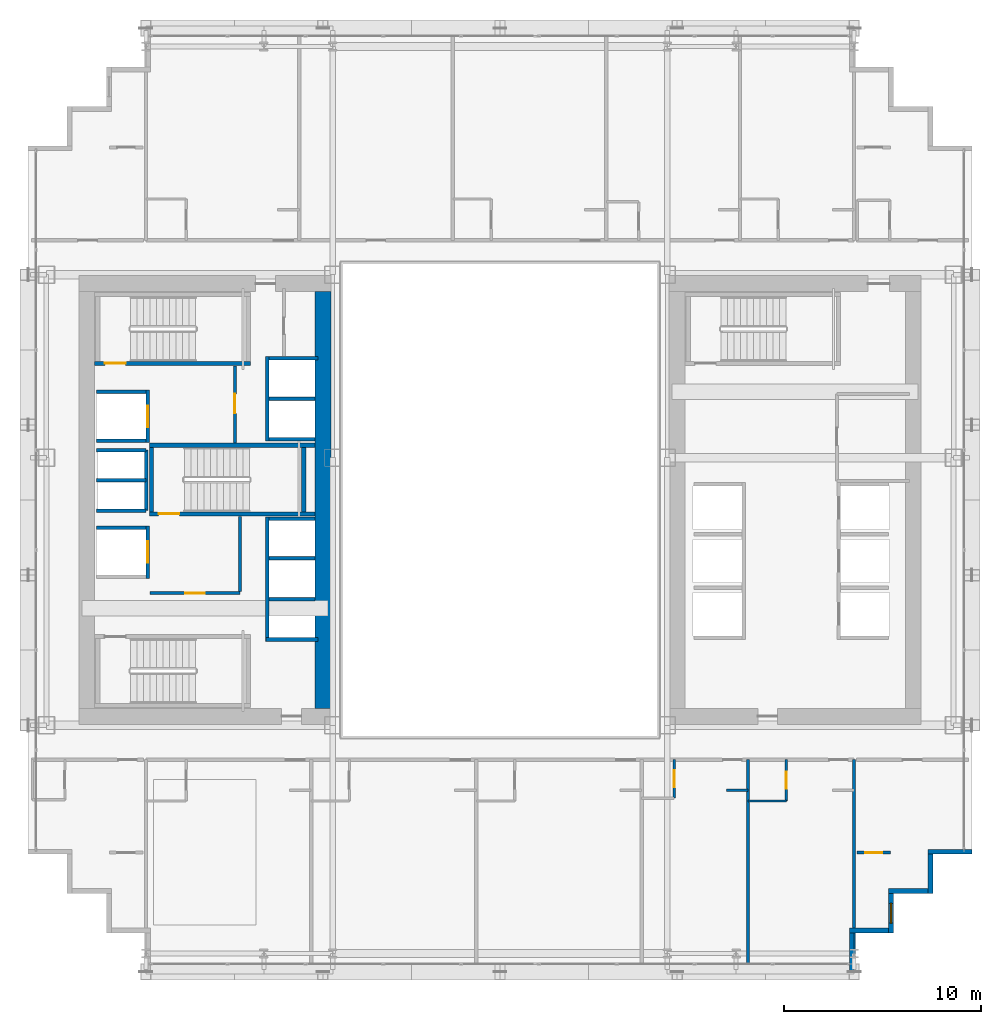
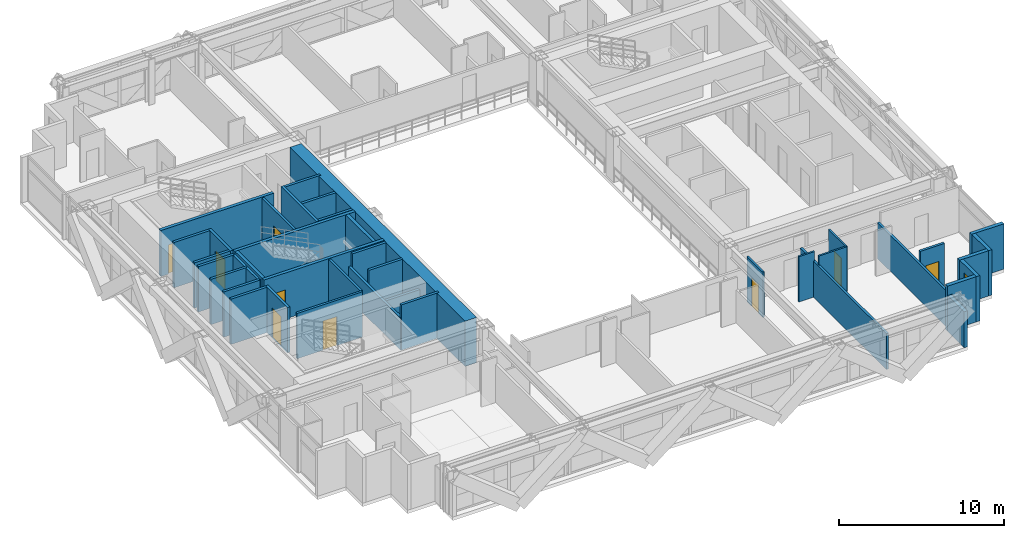
# One storey, part 31 of 38: 40 walls, 9 doors, 1 window, 10 openings.
"""IFC4 building model written with IfcOpenShell, lengths in metres."""

from ifc_helpers import new_model, si_unit, direction, frame, frame_2d, origin, place, context, subcontext, project, spatial, rectangle, extrude, source, transform, mapped, material, layer, layer_set, type_object, element, fill, save


model = new_model("IFC4")

# Units and contexts
model_context = context("Model", 3, precision=1e-05, world=origin(), true_north=direction((0.0, 1.0)))
body_context = subcontext(model_context, "Body", "Model", "MODEL_VIEW")
ifc_project = project(units=[si_unit("LENGTHUNIT", "METRE"), si_unit("AREAUNIT", "SQUARE_METRE"), si_unit("VOLUMEUNIT", "CUBIC_METRE"), si_unit("PLANEANGLEUNIT", "RADIAN"), si_unit("MASSUNIT", "GRAM", prefix="KILO")], contexts=[model_context])

# Site, building, storey
site_placement = place(None, origin())
site = spatial("IfcSite", under=ifc_project, at=site_placement, CompositionType="ELEMENT")
building_placement = place(site_placement, origin())
building = spatial("IfcBuilding", under=site, at=building_placement, Name="Ocotamira Hotel", CompositionType="ELEMENT")
storey_placement = place(building_placement, frame((0.0, 0.0, 60.0)))
storey = spatial("IfcBuildingStorey", under=building, at=storey_placement, Name="L14", CompositionType="ELEMENT", Elevation=60.0)

# Walls
ifc_material_1 = material(Name="Concrete C60/75", Category="concrete")
ifc_layer_1 = layer(ifc_material_1, 0.800048828125)
ifc_layer_set_1 = layer_set([ifc_layer_1], Name="Concrete C60/75")
wall_type_1 = type_object("IfcWallType", Name="WL-CORE-800", PredefinedType="SHEAR", material=ifc_layer_set_1)
wall_1_placement = place(storey_placement, frame((23.0, 15.39990234375, 0.0), z_axis=(0.0, 0.0, 1.0), x_axis=(0.0, 1.0, 0.0)))
element("IfcWall", 1, at=wall_1_placement, inside=storey, type_object=wall_type_1, Name="L14 Shear Core Wall WCORE-E", PredefinedType="SHEAR", context=body_context, shape_type="SweptSolid", body=[
    extrude(rectangle(XDim=21.2001953125, YDim=0.800048828125, at=frame_2d((10.60009765625, 0.0))), origin(), (0.0, 0.0, 1.0), 3.35009765625),
])
ifc_material_2 = material(Name="Precast concrete C45/55", Category="concrete")
ifc_layer_2 = layer(ifc_material_2, 0.25)
ifc_layer_set_2 = layer_set([ifc_layer_2], Name="Precast concrete C45/55")
wall_type_2 = type_object("IfcWallType", Name="WL-EXT-SER-250", PredefinedType="SOLIDWALL", material=ifc_layer_set_2)
wall_2_placement = place(storey_placement, frame((49.875, 2.0, 0.0), z_axis=(0.0, 0.0, 1.0), x_axis=(0.0, 1.0, 0.0)))
element("IfcWall", 2, at=wall_2_placement, inside=storey, type_object=wall_type_2, Name="L14 Serrated Corner Wall 01", PredefinedType="SOLIDWALL", context=body_context, shape_type="SweptSolid", body=[
    extrude(rectangle(XDim=2.0, YDim=0.25, at=frame_2d((1.0, 0.0))), origin(), (0.0, 0.0, 1.0), 2.656982421875),
])
wall_3_placement = place(storey_placement, frame((49.75, 4.125, 0.0), z_axis=(0.0, 0.0, 1.0), x_axis=(1.0, 0.0, 0.0)))
element("IfcWall", 3, at=wall_3_placement, inside=storey, type_object=wall_type_2, Name="L14 Serrated Corner Wall 02", PredefinedType="SOLIDWALL", context=body_context, shape_type="SweptSolid", body=[
    extrude(rectangle(XDim=2.0, YDim=0.25, at=frame_2d((1.0, 0.0))), origin(), (0.0, 0.0, 1.0), 3.35009765625),
])

# Wall, opening, window
wall_4_placement = place(storey_placement, frame((51.875, 4.0, 0.0), z_axis=(0.0, 0.0, 1.0), x_axis=(0.0, 1.0, 0.0)))
wall_4 = element("IfcWall", 4, at=wall_4_placement, inside=storey, type_object=wall_type_2, Name="L14 Serrated Corner Wall 03", PredefinedType="SOLIDWALL", context=body_context, shape_type="SweptSolid", body=[
    extrude(rectangle(XDim=2.0, YDim=0.25, at=frame_2d((1.0, 0.0))), origin(), (0.0, 0.0, 1.0), 3.35009765625),
])
opening_1_placement = place(wall_4_placement, frame((0.5, 0.0, 0.85009765625)))
opening_1 = element("IfcOpeningElement", 5, at=opening_1_placement, cuts=wall_4, Name="Opening WN-2", PredefinedType="OPENING", context=body_context, shape_type="SweptSolid", body=[
    extrude(rectangle(XDim=1.0, YDim=1.89990234375, at=frame_2d((0.5, 0.949951171875))), frame((0.0, 0.135009765625, 0.0), z_axis=(0.0, -1.0, 0.0), x_axis=(1.0, 0.0, 0.0)), (0.0, 0.0, 1.0), 0.27001953125),
])
ifc_material_3 = material(Name="Double-silver low-E solar glass", Category="glass")
window_type = type_object("IfcWindowType", Name="WIN-SER-1100", PartitioningType="SINGLE_PANEL", PredefinedType="WINDOW", material=ifc_material_3)
shared_shape_1 = source(origin(), body_context, "Body", "SweptSolid", [
    extrude(rectangle(XDim=1.0, YDim=1.89990234375, at=frame_2d((0.5, 0.949951171875))), frame((0.0, 0.030029296875, 0.0), z_axis=(0.0, -1.0, 0.0), x_axis=(1.0, 0.0, 0.0)), (0.0, 0.0, 1.0), 0.06005859375),
])
window_placement = place(opening_1_placement, origin())
window = element("IfcWindow", 6, at=window_placement, inside=storey, type_object=window_type, Name="L14 Serrated Corner Window 03", OverallHeight=1.89990234375, OverallWidth=1.0, PartitioningType="SINGLE_PANEL", PredefinedType="WINDOW", context=body_context, shape_type="MappedRepresentation", body=[
    mapped(shared_shape_1, transform((0.0, 0.0, 0.0), scale=1.0)),
])
fill(opening_1, window)

# Walls
for number, where, z_axis, x_axis, name in (
    (7, (51.75, 6.125, 0.0), (0.0, 0.0, 1.0), (1.0, 0.0, 0.0), "L14 Serrated Corner Wall 04"),
    (8, (53.875, 6.0, 0.0), (0.0, 0.0, 1.0), (0.0, 1.0, 0.0), "L14 Serrated Corner Wall 05"),
):
    element("IfcWall", number, at=place(storey_placement, frame(where, z_axis=z_axis, x_axis=x_axis)), inside=storey, type_object=wall_type_2, Name=name, PredefinedType="SOLIDWALL", context=body_context, shape_type="SweptSolid", body=[
        extrude(rectangle(XDim=2.0, YDim=0.25, at=frame_2d((1.0, 0.0))), origin(), (0.0, 0.0, 1.0), 3.35009765625),
    ])
wall_5_placement = place(storey_placement, frame((53.75, 8.125, 0.0), z_axis=(0.0, 0.0, 1.0), x_axis=(1.0, 0.0, 0.0)))
element("IfcWall", 9, at=wall_5_placement, inside=storey, type_object=wall_type_2, Name="L14 Serrated Corner Wall 06", PredefinedType="SOLIDWALL", context=body_context, shape_type="SweptSolid", body=[
    extrude(rectangle(XDim=2.25, YDim=0.25, at=frame_2d((1.125, 0.0))), origin(), (0.0, 0.0, 1.0), 3.35009765625),
])

# Wall, opening, door
ifc_material_4 = material(Name="Acoustic double-layer fire gypsum board partition", Category="gypsum")
ifc_layer_3 = layer(ifc_material_4, 0.159912109375)
ifc_layer_set_3 = layer_set([ifc_layer_3], Name="Acoustic double-layer fire gypsum board partition")
wall_type_3 = type_object("IfcWallType", Name="WL-FIRE-160", PredefinedType="PARTITIONING", material=ifc_layer_set_3)
wall_6_placement = place(storey_placement, frame((14.199951171875, 21.27001953125, 0.0), z_axis=(0.0, 0.0, 1.0), x_axis=(1.0, 0.0, 0.0)))
wall_6 = element("IfcWall", 10, at=wall_6_placement, inside=storey, type_object=wall_type_3, Name="L14 Interior Wall PW-L14-FSAE1-S", PredefinedType="PARTITIONING", context=body_context, shape_type="SweptSolid", body=[
    extrude(rectangle(XDim=4.580078125, YDim=0.159912109375, at=frame_2d((2.2900390625, 0.0))), origin(), (0.0, 0.0, 1.0), 3.35009765625),
])
opening_2_placement = place(wall_6_placement, frame((1.800048828125, 0.0, 0.0)))
opening_2 = element("IfcOpeningElement", 11, at=opening_2_placement, cuts=wall_6, Name="Opening D-FR2", PredefinedType="OPENING", context=body_context, shape_type="SweptSolid", body=[
    extrude(rectangle(XDim=1.0, YDim=2.14990234375, at=frame_2d((0.5, 1.074951171875))), frame((0.0, 0.08984375, 0.0), z_axis=(0.0, -1.0, 0.0), x_axis=(1.0, 0.0, 0.0)), (0.0, 0.0, 1.0), 0.179931640625),
])
ifc_material_5 = material(Name="Fire-rated acoustic timber-veneer door", Category="wood")
door_type_1 = type_object("IfcDoorType", Name="DR-FIRE-1000", OperationType="NOTDEFINED", PredefinedType="DOOR", material=ifc_material_5)
shared_shape_2 = source(origin(), body_context, "Body", "SweptSolid", [
    extrude(rectangle(XDim=1.0, YDim=2.14990234375, at=frame_2d((0.5, 1.074951171875))), frame((0.0, 0.02490234375, 0.0), z_axis=(0.0, -1.0, 0.0), x_axis=(1.0, 0.0, 0.0)), (0.0, 0.0, 1.0), 0.050048828125),
])
door_1_placement = place(opening_2_placement, origin())
door_1 = element("IfcDoor", 12, at=door_1_placement, inside=storey, type_object=door_type_1, Name="L14 Door ID-L14-FSAE1-D [ID-L14-FSAE1-D]", OperationType="SINGLE_SWING_LEFT", OverallHeight=2.14990234375, OverallWidth=1.0, PredefinedType="DOOR", context=body_context, shape_type="MappedRepresentation", body=[
    mapped(shared_shape_2, transform((0.0, 0.0, 0.0), scale=1.0)),
])
fill(opening_2, door_1)

# Wall
wall_7_placement = place(storey_placement, frame((18.780029296875, 21.35009765625, 0.0), z_axis=(0.0, 0.0, 1.0), x_axis=(0.0, 1.0, 0.0)))
element("IfcWall", 13, at=wall_7_placement, inside=storey, type_object=wall_type_3, Name="L14 Interior Wall PW-L14-FSAE1-E", PredefinedType="PARTITIONING", context=body_context, shape_type="SweptSolid", body=[
    extrude(rectangle(XDim=3.809814453125, YDim=0.159912109375, at=frame_2d((1.90478515625, 0.0))), origin(), (0.0, 0.0, 1.0), 3.35009765625),
])

# Wall, opening, door
wall_8_placement = place(storey_placement, frame((18.530029296875, 28.89990234375, 0.0), z_axis=(0.0, 0.0, 1.0), x_axis=(0.0, 1.0, 0.0)))
wall_8 = element("IfcWall", 14, at=wall_8_placement, inside=storey, type_object=wall_type_3, Name="L14 Interior Wall PW-L14-FSAE2-E", PredefinedType="PARTITIONING", context=body_context, shape_type="SweptSolid", body=[
    extrude(rectangle(XDim=3.900146484375, YDim=0.159912109375, at=frame_2d((1.9501953125, 0.0))), origin(), (0.0, 0.0, 1.0), 3.35009765625),
])
opening_3_placement = place(wall_8_placement, frame((1.5, 0.0, 0.0)))
opening_3 = element("IfcOpeningElement", 15, at=opening_3_placement, cuts=wall_8, Name="Opening D-FR2", PredefinedType="OPENING", context=body_context, shape_type="SweptSolid", body=[
    extrude(rectangle(XDim=1.0, YDim=2.14990234375, at=frame_2d((0.5, 1.074951171875))), frame((0.0, 0.08984375, 0.0), z_axis=(0.0, -1.0, 0.0), x_axis=(1.0, 0.0, 0.0)), (0.0, 0.0, 1.0), 0.179931640625),
])
door_2_placement = place(opening_3_placement, origin())
door_2 = element("IfcDoor", 16, at=door_2_placement, inside=storey, type_object=door_type_1, Name="L14 Door ID-L14-FSAE2-D [ID-L14-FSAE2-D]", OperationType="SINGLE_SWING_RIGHT", OverallHeight=2.14990234375, OverallWidth=1.0, PredefinedType="DOOR", context=body_context, shape_type="MappedRepresentation", body=[
    mapped(shared_shape_2, transform((0.0, 0.0, 0.0), scale=1.0)),
])
fill(opening_3, door_2)

wall_9_placement = place(storey_placement, frame((50.14990234375, 8.080078125, 0.0), z_axis=(0.0, 0.0, 1.0), x_axis=(1.0, 0.0, 0.0)))
wall_9 = element("IfcWall", 17, at=wall_9_placement, inside=storey, type_object=wall_type_3, Name="L14 Interior Wall PW-L14-Z1C-CSE2-CW", PredefinedType="PARTITIONING", context=body_context, shape_type="SweptSolid", body=[
    extrude(rectangle(XDim=1.7001953125, YDim=0.159912109375, at=frame_2d((0.85009765625, 0.0))), origin(), (0.0, 0.0, 1.0), 3.35009765625),
])
opening_4_placement = place(wall_9_placement, frame((0.409912109375, 0.0, 0.0)))
opening_4 = element("IfcOpeningElement", 18, at=opening_4_placement, cuts=wall_9, Name="Opening D-SV2", PredefinedType="OPENING", context=body_context, shape_type="SweptSolid", body=[
    extrude(rectangle(XDim=0.8798828125, YDim=2.14990234375, at=frame_2d((0.43994140625, 1.074951171875))), frame((0.0, 0.08984375, 0.0), z_axis=(0.0, -1.0, 0.0), x_axis=(1.0, 0.0, 0.0)), (0.0, 0.0, 1.0), 0.179931640625),
])
ifc_material_6 = material(Name="Fire-rated painted steel service door", Category="steel")
door_type_2 = type_object("IfcDoorType", Name="DR-SERV-880", OperationType="NOTDEFINED", PredefinedType="DOOR", material=ifc_material_6)
shared_shape_3 = source(origin(), body_context, "Body", "SweptSolid", [
    extrude(rectangle(XDim=0.8798828125, YDim=2.14990234375, at=frame_2d((0.43994140625, 1.074951171875))), frame((0.0, 0.02490234375, 0.0), z_axis=(0.0, -1.0, 0.0), x_axis=(1.0, 0.0, 0.0)), (0.0, 0.0, 1.0), 0.050048828125),
])
door_3_placement = place(opening_4_placement, origin())
door_3 = element("IfcDoor", 19, at=door_3_placement, inside=storey, type_object=door_type_2, Name="L14 Door ID-L14-Z1C-CSE2-CD [ID-L14-Z1C-CSE2-CD]", OperationType="SINGLE_SWING_LEFT", OverallHeight=2.14990234375, OverallWidth=0.8798828125, PredefinedType="DOOR", context=body_context, shape_type="MappedRepresentation", body=[
    mapped(shared_shape_3, transform((0.0, 0.0, 0.0), scale=1.0)),
])
fill(opening_4, door_3)

ifc_material_7 = material(Name="Moisture-resistant en-suite tile and gypsum partition", Category="gypsum")
ifc_layer_4 = layer(ifc_material_7, 0.1201171875)
ifc_layer_set_4 = layer_set([ifc_layer_4], Name="Moisture-resistant en-suite tile and gypsum partition")
wall_type_4 = type_object("IfcWallType", Name="WL-PART-120", PredefinedType="PARTITIONING", material=ifc_layer_set_4)
wall_10_placement = place(storey_placement, frame((40.85009765625, 10.85009765625, 0.0), z_axis=(0.0, 0.0, 1.0), x_axis=(0.0, 1.0, 0.0)))
wall_10 = element("IfcWall", 20, at=wall_10_placement, inside=storey, type_object=wall_type_4, Name="L14 Interior Wall PW-L14-Z1CS-BAE4", PredefinedType="PARTITIONING", context=body_context, shape_type="SweptSolid", body=[
    extrude(rectangle(XDim=1.949951171875, YDim=0.1201171875, at=frame_2d((0.97509765625, 0.0))), origin(), (0.0, 0.0, 1.0), 3.35009765625),
])
opening_5_placement = place(wall_10_placement, frame((0.544921875, 0.0, 0.0)))
opening_5 = element("IfcOpeningElement", 21, at=opening_5_placement, cuts=wall_10, Name="Opening D-BA1", PredefinedType="OPENING", context=body_context, shape_type="SweptSolid", body=[
    extrude(rectangle(XDim=0.860107421875, YDim=2.10009765625, at=frame_2d((0.43017578125, 1.050048828125))), frame((0.0, 0.070068359375, 0.0), z_axis=(0.0, -1.0, 0.0), x_axis=(1.0, 0.0, 0.0)), (0.0, 0.0, 1.0), 0.14013671875),
])
ifc_material_8 = material(Name="Moisture-sealed en-suite timber door", Category="wood")
door_type_3 = type_object("IfcDoorType", Name="DR-BATH-860", OperationType="NOTDEFINED", PredefinedType="DOOR", material=ifc_material_8)
shared_shape_4 = source(origin(), body_context, "Body", "SweptSolid", [
    extrude(rectangle(XDim=0.860107421875, YDim=2.10009765625, at=frame_2d((0.43017578125, 1.050048828125))), frame((0.0, 0.02490234375, 0.0), z_axis=(0.0, -1.0, 0.0), x_axis=(1.0, 0.0, 0.0)), (0.0, 0.0, 1.0), 0.050048828125),
])
door_4_placement = place(opening_5_placement, origin())
door_4 = element("IfcDoor", 22, at=door_4_placement, inside=storey, type_object=door_type_3, Name="L14 Door ID-L14-Z1CS-BAD4 [ID-L14-Z1CS-BAD4]", OperationType="SINGLE_SWING_LEFT", OverallHeight=2.10009765625, OverallWidth=0.860107421875, PredefinedType="DOOR", context=body_context, shape_type="MappedRepresentation", body=[
    mapped(shared_shape_4, transform((0.0, 0.0, 0.0), scale=1.0)),
])
fill(opening_5, door_4)

# Wall
wall_11_placement = place(storey_placement, frame((43.5, 11.25, 0.0), z_axis=(0.0, 0.0, 1.0), x_axis=(1.0, 0.0, 0.0)))
element("IfcWall", 23, at=wall_11_placement, inside=storey, type_object=wall_type_4, Name="L14 Interior Wall PW-L14-Z1CS-DRN4", PredefinedType="PARTITIONING", context=body_context, shape_type="SweptSolid", body=[
    extrude(rectangle(XDim=1.10009765625, YDim=0.1201171875, at=frame_2d((0.550048828125, 0.0))), origin(), (0.0, 0.0, 1.0), 3.35009765625),
])

# Wall, opening, door
wall_12_placement = place(storey_placement, frame((46.550048828125, 10.699951171875, 0.0), z_axis=(0.0, 0.0, 1.0), x_axis=(0.0, 1.0, 0.0)))
wall_12 = element("IfcWall", 24, at=wall_12_placement, inside=storey, type_object=wall_type_4, Name="L14 Interior Wall PW-L14-Z1CS-BAE5", PredefinedType="PARTITIONING", context=body_context, shape_type="SweptSolid", body=[
    extrude(rectangle(XDim=2.10009765625, YDim=0.1201171875, at=frame_2d((1.050048828125, 0.0))), origin(), (0.0, 0.0, 1.0), 3.35009765625),
])
opening_6_placement = place(wall_12_placement, frame((0.6201171875, 0.0, 0.0)))
opening_6 = element("IfcOpeningElement", 25, at=opening_6_placement, cuts=wall_12, Name="Opening D-BA1", PredefinedType="OPENING", context=body_context, shape_type="SweptSolid", body=[
    extrude(rectangle(XDim=0.860107421875, YDim=2.10009765625, at=frame_2d((0.43017578125, 1.050048828125))), frame((0.0, 0.070068359375, 0.0), z_axis=(0.0, -1.0, 0.0), x_axis=(1.0, 0.0, 0.0)), (0.0, 0.0, 1.0), 0.14013671875),
])
door_5_placement = place(opening_6_placement, origin())
door_5 = element("IfcDoor", 26, at=door_5_placement, inside=storey, type_object=door_type_3, Name="L14 Door ID-L14-Z1CS-BAD5 [ID-L14-Z1CS-BAD5]", OperationType="SINGLE_SWING_RIGHT", OverallHeight=2.10009765625, OverallWidth=0.860107421875, PredefinedType="DOOR", context=body_context, shape_type="MappedRepresentation", body=[
    mapped(shared_shape_4, transform((0.0, 0.0, 0.0), scale=1.0)),
])
fill(opening_6, door_5)

# Walls
wall_13_placement = place(storey_placement, frame((44.60009765625, 10.699951171875, 0.0), z_axis=(0.0, 0.0, 1.0), x_axis=(1.0, 0.0, 0.0)))
element("IfcWall", 27, at=wall_13_placement, inside=storey, type_object=wall_type_4, Name="L14 Interior Wall PW-L14-Z1CS-BAS5", PredefinedType="PARTITIONING", context=body_context, shape_type="SweptSolid", body=[
    extrude(rectangle(XDim=1.949951171875, YDim=0.1201171875, at=frame_2d((0.97509765625, 0.0))), origin(), (0.0, 0.0, 1.0), 3.35009765625),
])
ifc_material_9 = material(Name="Acoustic double-stud hospitality gypsum partition", Category="gypsum")
ifc_layer_5 = layer(ifc_material_9, 0.159912109375)
ifc_layer_set_5 = layer_set([ifc_layer_5], Name="Acoustic double-stud hospitality gypsum partition")
wall_type_5 = type_object("IfcWallType", Name="WL-PART-160", PredefinedType="PARTITIONING", material=ifc_layer_set_5)
for number, where, z_axis, x_axis, name in (
    (28, (50.0, 2.360107421875, 0.0), (0.0, 0.0, 1.0), (0.0, 1.0, 0.0), "L14 Interior Wall PW-L14-Z1CS-PWEND"),
    (29, (44.60009765625, 2.360107421875, 0.0), (0.0, 0.0, 1.0), (0.0, 1.0, 0.0), "L14 Interior Wall PW-L14-Z1CS-PW4"),
):
    element("IfcWall", number, at=place(storey_placement, frame(where, z_axis=z_axis, x_axis=x_axis)), inside=storey, type_object=wall_type_5, Name=name, PredefinedType="PARTITIONING", context=body_context, shape_type="SweptSolid", body=[
        extrude(rectangle(XDim=10.43994140625, YDim=0.159912109375, at=frame_2d((5.219970703125, 0.0))), origin(), (0.0, 0.0, 1.0), 2.656982421875),
    ])
ifc_material_10 = material(Name="Fire-rated gypsum shaftliner board assembly", Category="gypsum")
ifc_layer_6 = layer(ifc_material_10, 0.179931640625)
ifc_layer_set_6 = layer_set([ifc_layer_6], Name="Fire-rated gypsum shaftliner board assembly")
wall_type_6 = type_object("IfcWallType", Name="WL-SHAFT-180", PredefinedType="SOLIDWALL", material=ifc_layer_set_6)
wall_14_placement = place(storey_placement, frame((20.159912109375, 18.820068359375, 0.0), z_axis=(0.0, 0.0, 1.0), x_axis=(0.0, 1.0, 0.0)))
element("IfcWall", 30, at=wall_14_placement, inside=storey, type_object=wall_type_6, Name="L14 Interior Wall PW-L14-LFW-BANK-high-F", PredefinedType="SOLIDWALL", context=body_context, shape_type="SweptSolid", body=[
    extrude(rectangle(XDim=6.31982421875, YDim=0.179931640625, at=frame_2d((3.159912109375, 0.0))), origin(), (0.0, 0.0, 1.0), 2.360107421875),
])
wall_15_placement = place(storey_placement, frame((20.1201171875, 18.909912109375, 0.0), z_axis=(0.0, 0.0, 1.0), x_axis=(1.0, 0.0, 0.0)))
element("IfcWall", 31, at=wall_15_placement, inside=storey, type_object=wall_type_6, Name="L14 Interior Wall PW-L14-LFW-BANK-high-S", PredefinedType="SOLIDWALL", context=body_context, shape_type="SweptSolid", body=[
    extrude(rectangle(XDim=2.6298828125, YDim=0.179931640625, at=frame_2d((1.31494140625, 0.0))), origin(), (0.0, 0.0, 1.0), 3.35009765625),
])
wall_16_placement = place(storey_placement, frame((20.25, 25.050048828125, 0.0), z_axis=(0.0, 0.0, 1.0), x_axis=(1.0, 0.0, 0.0)))
element("IfcWall", 32, at=wall_16_placement, inside=storey, type_object=wall_type_6, Name="L14 Interior Wall PW-L14-LFW-BANK-high-N", PredefinedType="SOLIDWALL", context=body_context, shape_type="SweptSolid", body=[
    extrude(rectangle(XDim=2.360107421875, YDim=0.179931640625, at=frame_2d((1.18017578125, 0.0))), origin(), (0.0, 0.0, 1.0), 3.35009765625),
])
wall_17_placement = place(storey_placement, frame((20.25, 20.965087890625, 0.0), z_axis=(0.0, 0.0, 1.0), x_axis=(1.0, 0.0, 0.0)))
element("IfcWall", 33, at=wall_17_placement, inside=storey, type_object=wall_type_6, Name="L14 Interior Wall PW-L14-LFW-DIV-LF-P7", PredefinedType="SOLIDWALL", context=body_context, shape_type="SweptSolid", body=[
    extrude(rectangle(XDim=2.360107421875, YDim=0.179931640625, at=frame_2d((1.18017578125, 0.0))), origin(), (0.0, 0.0, 1.0), 2.360107421875),
])
wall_18_placement = place(storey_placement, frame((20.25, 23.044921875, 0.0), z_axis=(0.0, 0.0, 1.0), x_axis=(1.0, 0.0, 0.0)))
element("IfcWall", 34, at=wall_18_placement, inside=storey, type_object=wall_type_6, Name="L14 Interior Wall PW-L14-LFW-DIV-LF-P8", PredefinedType="SOLIDWALL", context=body_context, shape_type="SweptSolid", body=[
    extrude(rectangle(XDim=2.360107421875, YDim=0.179931640625, at=frame_2d((1.18017578125, 0.0))), origin(), (0.0, 0.0, 1.0), 3.35009765625),
])
wall_19_placement = place(storey_placement, frame((20.159912109375, 29.0, 0.0), z_axis=(0.0, 0.0, 1.0), x_axis=(0.0, 1.0, 0.0)))
element("IfcWall", 35, at=wall_19_placement, inside=storey, type_object=wall_type_6, Name="L14 Interior Wall PW-L14-LFW-BANK-obs-F", PredefinedType="SOLIDWALL", context=body_context, shape_type="SweptSolid", body=[
    extrude(rectangle(XDim=4.2900390625, YDim=0.179931640625, at=frame_2d((2.14501953125, 0.0))), origin(), (0.0, 0.0, 1.0), 3.35009765625),
])
wall_20_placement = place(storey_placement, frame((20.25, 29.090087890625, 0.0), z_axis=(0.0, 0.0, 1.0), x_axis=(1.0, 0.0, 0.0)))
element("IfcWall", 36, at=wall_20_placement, inside=storey, type_object=wall_type_6, Name="L14 Interior Wall PW-L14-LFW-BANK-obs-S", PredefinedType="SOLIDWALL", context=body_context, shape_type="SweptSolid", body=[
    extrude(rectangle(XDim=2.360107421875, YDim=0.179931640625, at=frame_2d((1.18017578125, 0.0))), origin(), (0.0, 0.0, 1.0), 3.35009765625),
])
wall_21_placement = place(storey_placement, frame((20.25, 33.199951171875, 0.0), z_axis=(0.0, 0.0, 1.0), x_axis=(1.0, 0.0, 0.0)))
element("IfcWall", 37, at=wall_21_placement, inside=storey, type_object=wall_type_6, Name="L14 Interior Wall PW-L14-LFW-BANK-obs-N", PredefinedType="SOLIDWALL", context=body_context, shape_type="SweptSolid", body=[
    extrude(rectangle(XDim=2.5, YDim=0.179931640625, at=frame_2d((1.25, 0.0))), origin(), (0.0, 0.0, 1.0), 3.35009765625),
])
wall_22_placement = place(storey_placement, frame((20.25, 31.14501953125, 0.0), z_axis=(0.0, 0.0, 1.0), x_axis=(1.0, 0.0, 0.0)))
element("IfcWall", 38, at=wall_22_placement, inside=storey, type_object=wall_type_6, Name="L14 Interior Wall PW-L14-LFW-DIV-LF-OBS1", PredefinedType="SOLIDWALL", context=body_context, shape_type="SweptSolid", body=[
    extrude(rectangle(XDim=2.360107421875, YDim=0.179931640625, at=frame_2d((1.18017578125, 0.0))), origin(), (0.0, 0.0, 1.0), 3.35009765625),
])
wall_23_placement = place(storey_placement, frame((11.5, 24.590087890625, 0.0), z_axis=(0.0, 0.0, 1.0), x_axis=(1.0, 0.0, 0.0)))
element("IfcWall", 39, at=wall_23_placement, inside=storey, type_object=wall_type_6, Name="L14 Interior Wall PW-L14-LFW-LF-FSAE1-N", PredefinedType="SOLIDWALL", context=body_context, shape_type="SweptSolid", body=[
    extrude(rectangle(XDim=2.5, YDim=0.179931640625, at=frame_2d((1.25, 0.0))), origin(), (0.0, 0.0, 1.0), 3.35009765625),
])

# Wall, opening, door
wall_24_placement = place(storey_placement, frame((14.090087890625, 22.02001953125, 0.0), z_axis=(0.0, 0.0, 1.0), x_axis=(0.0, 1.0, 0.0)))
wall_24 = element("IfcWall", 40, at=wall_24_placement, inside=storey, type_object=wall_type_6, Name="L14 Interior Wall PW-L14-LFW-LF-FSAE1-E", PredefinedType="SOLIDWALL", context=body_context, shape_type="SweptSolid", body=[
    extrude(rectangle(XDim=2.659912109375, YDim=0.179931640625, at=frame_2d((1.330078125, 0.0))), origin(), (0.0, 0.0, 1.0), 3.35009765625),
])
opening_7_placement = place(wall_24_placement, frame((0.780029296875, 0.0, 0.0)))
opening_7 = element("IfcOpeningElement", 41, at=opening_7_placement, cuts=wall_24, Name="Opening LD-LF-FSAE1", PredefinedType="OPENING", context=body_context, shape_type="SweptSolid", body=[
    extrude(rectangle(XDim=1.10009765625, YDim=2.199951171875, at=frame_2d((0.550048828125, 1.10009765625))), frame((0.0, 0.10009765625, 0.0), z_axis=(0.0, -1.0, 0.0), x_axis=(1.0, 0.0, 0.0)), (0.0, 0.0, 1.0), 0.199951171875),
])
ifc_material_11 = material(Name="Brushed pale-metal stainless elevator landing door", Category="steel")
door_type_4 = type_object("IfcDoorType", Name="DR-LIFT-1100", OperationType="NOTDEFINED", PredefinedType="DOOR", material=ifc_material_11)
shared_shape_5 = source(origin(), body_context, "Body", "SweptSolid", [
    extrude(rectangle(XDim=1.10009765625, YDim=2.199951171875, at=frame_2d((0.550048828125, 1.10009765625))), frame((0.0, 0.02490234375, 0.0), z_axis=(0.0, -1.0, 0.0), x_axis=(1.0, 0.0, 0.0)), (0.0, 0.0, 1.0), 0.050048828125),
])
door_6_placement = place(opening_7_placement, origin())
door_6 = element("IfcDoor", 42, at=door_6_placement, inside=storey, type_object=door_type_4, Name="L14 Landing Door LD-LF-FSAE1 [ID-L14-LD-LF-FSAE1]", OperationType="DOUBLE_DOOR_SLIDING", OverallHeight=2.199951171875, OverallWidth=1.10009765625, PredefinedType="DOOR", context=body_context, shape_type="MappedRepresentation", body=[
    mapped(shared_shape_5, transform((0.0, 0.0, 0.0), scale=1.0)),
])
fill(opening_7, door_6)

# Walls
for number, where, z_axis, x_axis, name in (
    (43, (11.5, 29.010009765625, 0.0), (0.0, 0.0, 1.0), (1.0, 0.0, 0.0), "L14 Interior Wall PW-L14-LFW-LF-FSAE2-S"),
    (44, (11.5, 31.489990234375, 0.0), (0.0, 0.0, 1.0), (1.0, 0.0, 0.0), "L14 Interior Wall PW-L14-LFW-LF-FSAE2-N"),
):
    element("IfcWall", number, at=place(storey_placement, frame(where, z_axis=z_axis, x_axis=x_axis)), inside=storey, type_object=wall_type_6, Name=name, PredefinedType="SOLIDWALL", context=body_context, shape_type="SweptSolid", body=[
        extrude(rectangle(XDim=2.5, YDim=0.179931640625, at=frame_2d((1.25, 0.0))), origin(), (0.0, 0.0, 1.0), 3.35009765625),
    ])

# Wall, opening, door
wall_25_placement = place(storey_placement, frame((14.090087890625, 28.919921875, 0.0), z_axis=(0.0, 0.0, 1.0), x_axis=(0.0, 1.0, 0.0)))
wall_25 = element("IfcWall", 45, at=wall_25_placement, inside=storey, type_object=wall_type_6, Name="L14 Interior Wall PW-L14-LFW-LF-FSAE2-E", PredefinedType="SOLIDWALL", context=body_context, shape_type="SweptSolid", body=[
    extrude(rectangle(XDim=2.66015625, YDim=0.179931640625, at=frame_2d((1.330078125, 0.0))), origin(), (0.0, 0.0, 1.0), 3.35009765625),
])
opening_8_placement = place(wall_25_placement, frame((0.780029296875, 0.0, 0.0)))
opening_8 = element("IfcOpeningElement", 46, at=opening_8_placement, cuts=wall_25, Name="Opening LD-LF-FSAE2", PredefinedType="OPENING", context=body_context, shape_type="SweptSolid", body=[
    extrude(rectangle(XDim=1.10009765625, YDim=2.199951171875, at=frame_2d((0.550048828125, 1.10009765625))), frame((0.0, 0.10009765625, 0.0), z_axis=(0.0, -1.0, 0.0), x_axis=(1.0, 0.0, 0.0)), (0.0, 0.0, 1.0), 0.199951171875),
])
door_7_placement = place(opening_8_placement, origin())
door_7 = element("IfcDoor", 47, at=door_7_placement, inside=storey, type_object=door_type_4, Name="L14 Landing Door LD-LF-FSAE2 [ID-L14-LD-LF-FSAE2]", OperationType="DOUBLE_DOOR_SLIDING", OverallHeight=2.199951171875, OverallWidth=1.10009765625, PredefinedType="DOOR", context=body_context, shape_type="MappedRepresentation", body=[
    mapped(shared_shape_5, transform((0.0, 0.0, 0.0), scale=1.0)),
])
fill(opening_8, door_7)

# Walls
for number, where, z_axis, x_axis, name in (
    (48, (11.5, 25.4599609375, 0.0), (0.0, 0.0, 1.0), (1.0, 0.0, 0.0), "L14 Interior Wall PW-L14-RSW-S"),
    (49, (11.5, 27.0, 0.0), (0.0, 0.0, 1.0), (1.0, 0.0, 0.0), "L14 Interior Wall PW-L14-RSW-MID"),
    (50, (11.5, 28.5400390625, 0.0), (0.0, 0.0, 1.0), (1.0, 0.0, 0.0), "L14 Interior Wall PW-L14-RSW-N"),
):
    element("IfcWall", number, at=place(storey_placement, frame(where, z_axis=z_axis, x_axis=x_axis)), inside=storey, type_object=wall_type_6, Name=name, PredefinedType="SOLIDWALL", context=body_context, shape_type="SweptSolid", body=[
        extrude(rectangle(XDim=2.510009765625, YDim=0.179931640625, at=frame_2d((1.2548828125, 0.0))), origin(), (0.0, 0.0, 1.0), 3.35009765625),
    ])
wall_26_placement = place(storey_placement, frame((14.010009765625, 25.4599609375, 0.0), z_axis=(0.0, 0.0, 1.0), x_axis=(0.0, 1.0, 0.0)))
element("IfcWall", 51, at=wall_26_placement, inside=storey, type_object=wall_type_6, Name="L14 Interior Wall PW-L14-RSW-E", PredefinedType="SOLIDWALL", context=body_context, shape_type="SweptSolid", body=[
    extrude(rectangle(XDim=3.080078125, YDim=0.179931640625, at=frame_2d((1.5400390625, 0.0))), origin(), (0.0, 0.0, 1.0), 3.35009765625),
])

# Wall, opening, door
ifc_material_12 = material(Name="Concrete C50/60", Category="concrete")
ifc_layer_7 = layer(ifc_material_12, 0.219970703125)
ifc_layer_set_7 = layer_set([ifc_layer_7], Name="Concrete C50/60")
wall_type_7 = type_object("IfcWallType", Name="WL-STAIR-220", PredefinedType="SHEAR", material=ifc_layer_set_7)
wall_27_placement = place(storey_placement, frame((11.39990234375, 32.93994140625, 0.0), z_axis=(0.0, 0.0, 1.0), x_axis=(1.0, 0.0, 0.0)))
wall_27 = element("IfcWall", 52, at=wall_27_placement, inside=storey, type_object=wall_type_7, Name="L14 Stair Shaft Structural Wall ST-2-S", PredefinedType="SHEAR", context=body_context, shape_type="SweptSolid", body=[
    extrude(rectangle(XDim=7.91015625, YDim=0.219970703125, at=frame_2d((3.955078125, 0.0))), origin(), (0.0, 0.0, 1.0), 3.39990234375),
])
opening_9_placement = place(wall_27_placement, frame((0.52001953125, 0.0, 0.0)))
opening_9 = element("IfcOpeningElement", 53, at=opening_9_placement, cuts=wall_27, Name="Opening D-ST2", PredefinedType="OPENING", context=body_context, shape_type="SweptSolid", body=[
    extrude(rectangle(XDim=1.050048828125, YDim=2.14990234375, at=frame_2d((0.52490234375, 1.074951171875))), frame((0.0, 0.1201171875, 0.0), z_axis=(0.0, -1.0, 0.0), x_axis=(1.0, 0.0, 0.0)), (0.0, 0.0, 1.0), 0.239990234375),
])
ifc_material_13 = material(Name="Insulated painted hollow-metal fire exit door", Category="steel")
door_type_5 = type_object("IfcDoorType", Name="DR-STAIR-1050", OperationType="NOTDEFINED", PredefinedType="DOOR", material=ifc_material_13)
shared_shape_6 = source(origin(), body_context, "Body", "SweptSolid", [
    extrude(rectangle(XDim=1.050048828125, YDim=2.14990234375, at=frame_2d((0.52490234375, 1.074951171875))), frame((0.0, 0.02490234375, 0.0), z_axis=(0.0, -1.0, 0.0), x_axis=(1.0, 0.0, 0.0)), (0.0, 0.0, 1.0), 0.050048828125),
])
door_8_placement = place(opening_9_placement, origin())
door_8 = element("IfcDoor", 54, at=door_8_placement, inside=storey, type_object=door_type_5, Name="L14 Door ID-L14-STD-ST-2 [ID-L14-STD-ST-2]", OperationType="SINGLE_SWING_RIGHT", OverallHeight=2.14990234375, OverallWidth=1.050048828125, PredefinedType="DOOR", context=body_context, shape_type="MappedRepresentation", body=[
    mapped(shared_shape_6, transform((0.0, 0.0, 0.0), scale=1.0)),
])
fill(opening_9, door_8)

wall_28_placement = place(storey_placement, frame((14.179931640625, 25.2900390625, 0.0), z_axis=(0.0, 0.0, 1.0), x_axis=(1.0, 0.0, 0.0)))
wall_28 = element("IfcWall", 55, at=wall_28_placement, inside=storey, type_object=wall_type_7, Name="L14 Stair Shaft Structural Wall ST-3-S", PredefinedType="SHEAR", context=body_context, shape_type="SweptSolid", body=[
    extrude(rectangle(XDim=8.420166015625, YDim=0.219970703125, at=frame_2d((4.2099609375, 0.0))), origin(), (0.0, 0.0, 1.0), 3.39990234375),
])
opening_10_placement = place(wall_28_placement, frame((0.469970703125, 0.0, 0.0)))
opening_10 = element("IfcOpeningElement", 56, at=opening_10_placement, cuts=wall_28, Name="Opening D-ST2", PredefinedType="OPENING", context=body_context, shape_type="SweptSolid", body=[
    extrude(rectangle(XDim=1.050048828125, YDim=2.14990234375, at=frame_2d((0.52490234375, 1.074951171875))), frame((0.0, 0.1201171875, 0.0), z_axis=(0.0, -1.0, 0.0), x_axis=(1.0, 0.0, 0.0)), (0.0, 0.0, 1.0), 0.239990234375),
])
door_9_placement = place(opening_10_placement, origin())
door_9 = element("IfcDoor", 57, at=door_9_placement, inside=storey, type_object=door_type_5, Name="L14 Door ID-L14-STD-ST-3 [ID-L14-STD-ST-3]", OperationType="SINGLE_SWING_LEFT", OverallHeight=2.14990234375, OverallWidth=1.050048828125, PredefinedType="DOOR", context=body_context, shape_type="MappedRepresentation", body=[
    mapped(shared_shape_6, transform((0.0, 0.0, 0.0), scale=1.0)),
])
fill(opening_10, door_9)

# Walls
wall_29_placement = place(storey_placement, frame((14.179931640625, 28.7900390625, 0.0), z_axis=(0.0, 0.0, 1.0), x_axis=(1.0, 0.0, 0.0)))
element("IfcWall", 58, at=wall_29_placement, inside=storey, type_object=wall_type_7, Name="L14 Stair Shaft Structural Wall ST-3-N", PredefinedType="SHEAR", context=body_context, shape_type="SweptSolid", body=[
    extrude(rectangle(XDim=8.420166015625, YDim=0.219970703125, at=frame_2d((4.2099609375, 0.0))), origin(), (0.0, 0.0, 1.0), 3.39990234375),
])
for number, where, z_axis, x_axis, name in (
    (59, (14.2900390625, 25.39990234375, 0.0), (0.0, 0.0, 1.0), (0.0, 1.0, 0.0), "L14 Stair Shaft Structural Wall ST-3-W"),
    (60, (22.030029296875, 25.39990234375, 0.0), (0.0, 0.0, 1.0), (0.0, 1.0, 0.0), "L14 Stair Shaft Structural Wall ST-3-E"),
):
    element("IfcWall", number, at=place(storey_placement, frame(where, z_axis=z_axis, x_axis=x_axis)), inside=storey, type_object=wall_type_7, Name=name, PredefinedType="SHEAR", context=body_context, shape_type="SweptSolid", body=[
        extrude(rectangle(XDim=3.280029296875, YDim=0.219970703125, at=frame_2d((1.64013671875, 0.0))), origin(), (0.0, 0.0, 1.0), 3.39990234375),
    ])

save(model, "model.ifc")
